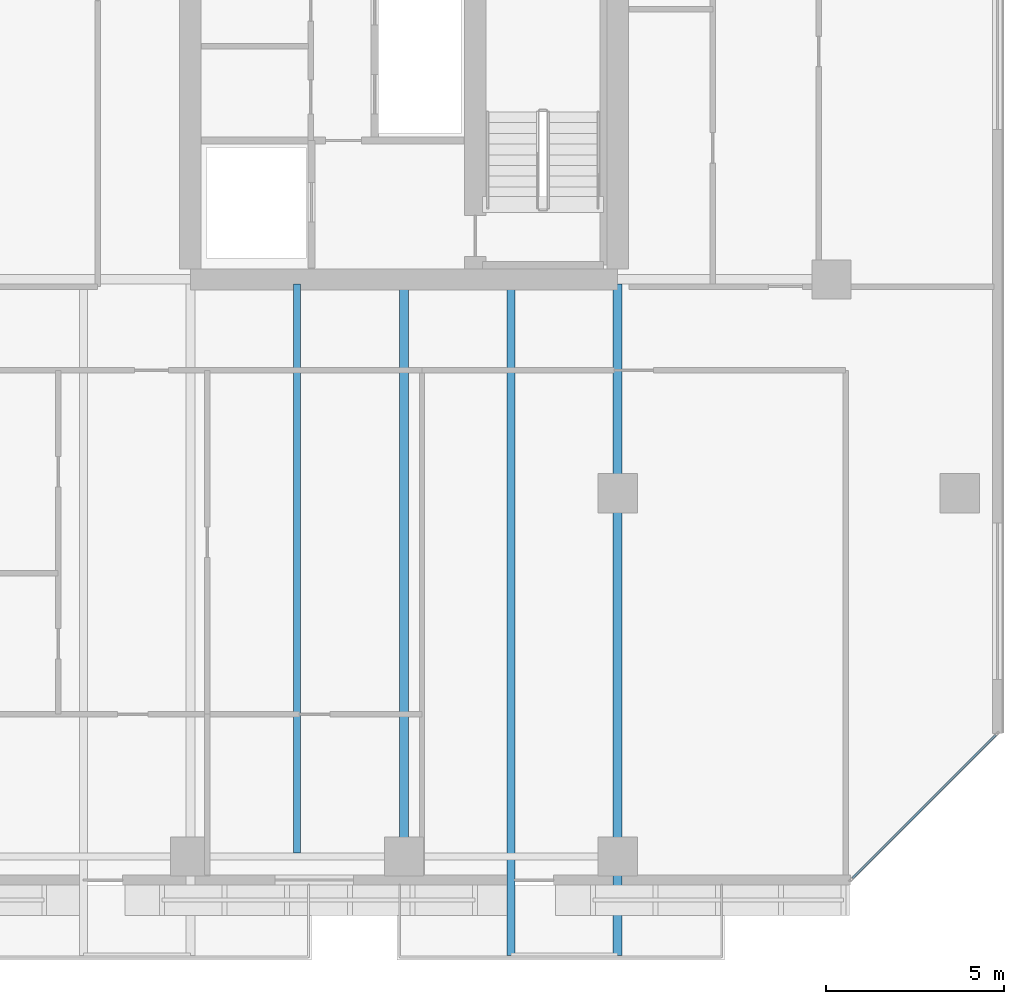
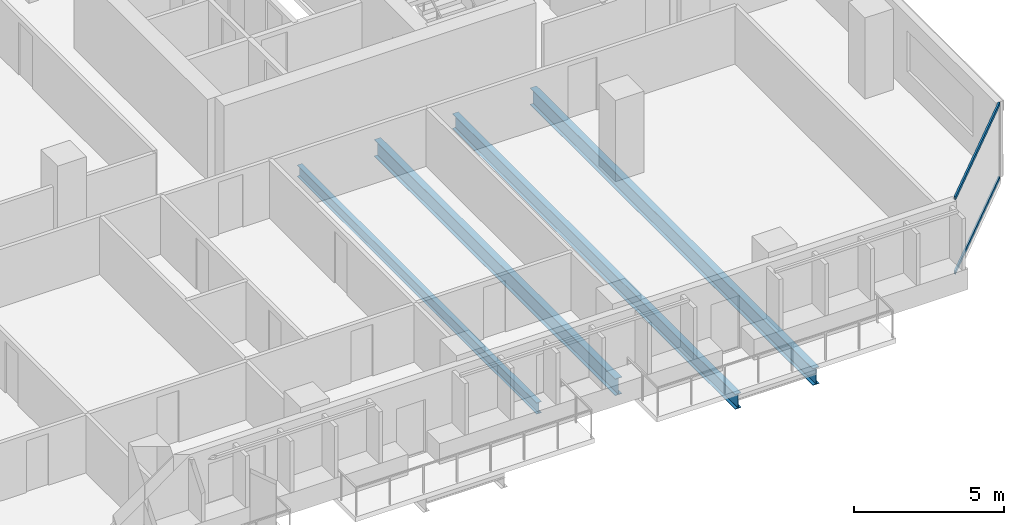
# One storey, part 14 of 34: 4 beams, 2 members, 1 element without a shape of its own.
"""IFC4 building model written with IfcOpenShell, lengths in metres."""

from ifc_helpers import new_model, si_unit, direction, frame, origin, origin_2d, place, context, subcontext, project, spatial, hollow_rectangle, i_section, extrude, material, layer, layer_set, material_profile, profile_set, type_object, element, aggregate, save


model = new_model("IFC4")

# Units and contexts
model_context = context("Model", 3, precision=1e-05, world=origin(), true_north=direction((0.0, 1.0)))
body_context = subcontext(model_context, "Body", "Model", "MODEL_VIEW")
ifc_project = project(units=[si_unit("LENGTHUNIT", "METRE"), si_unit("AREAUNIT", "SQUARE_METRE"), si_unit("VOLUMEUNIT", "CUBIC_METRE"), si_unit("PLANEANGLEUNIT", "RADIAN"), si_unit("MASSUNIT", "GRAM", prefix="KILO")], contexts=[model_context])

# Site, building, storey
site_placement = place(None, origin())
site = spatial("IfcSite", under=ifc_project, at=site_placement, CompositionType="ELEMENT")
building_placement = place(site_placement, origin())
building = spatial("IfcBuilding", under=site, at=building_placement, Name="Tanjung Sevakor Pilgrim Tower", CompositionType="ELEMENT")
storey_placement = place(building_placement, frame((0.0, 0.0, 55.43994140625)))
storey = spatial("IfcBuildingStorey", under=building, at=storey_placement, Name="L15", CompositionType="ELEMENT", Elevation=55.43994140625)

# Beams
ifc_material_1 = material(Name="Steel S355J2", Category="steel")
ifc_material_profile_1 = material_profile(ifc_material_1, i_section(OverallWidth=0.25439453125, OverallDepth=0.6875, WebThickness=0.01318359375, FlangeThickness=0.02099609375, FilletRadius=0.01513671875, at=origin_2d()))
ifc_profile_set_1 = profile_set([ifc_material_profile_1], Name="Steel S355J2")
beam_type_1 = type_object("IfcBeamType", Name="BM-B-G2-UB_686x254x152", PredefinedType="BEAM", material=ifc_profile_set_1)
beam_1_placement = place(storey_placement, frame((84.0, 8.39990234375, -0.563720703125), z_axis=(0.0, 1.0, 0.0), x_axis=(-1.0, 0.0, 0.0)))
element("IfcBeam", 1, at=beam_1_placement, inside=storey, type_object=beam_type_1, Name="L15 MAIN Girder 025", PredefinedType="BEAM", context=body_context, shape_type="SweptSolid", body=[
    extrude(i_section(OverallWidth=0.25439453125, OverallDepth=0.6875, WebThickness=0.01318359375, FlangeThickness=0.02099609375, FilletRadius=0.01513671875, at=origin_2d()), origin(), (0.0, 0.0, 1.0), 16.066162109375),
])
beam_2_placement = place(storey_placement, frame((90.0, 24.466064453125, -0.563720703125), z_axis=(0.0, -1.0, 0.0), x_axis=(1.0, 0.0, 0.0)))
element("IfcBeam", 2, at=beam_2_placement, inside=storey, type_object=beam_type_1, Name="L15 Balcony Cantilever Beam MAIN-S4-2", PredefinedType="BEAM", context=body_context, shape_type="SweptSolid", body=[
    extrude(i_section(OverallWidth=0.25439453125, OverallDepth=0.6875, WebThickness=0.01318359375, FlangeThickness=0.02099609375, FilletRadius=0.01513671875, at=origin_2d()), origin(), (0.0, 0.0, 1.0), 18.845947265625),
])
ifc_material_2 = material(Name="Steel S355J2", Category="steel")
ifc_material_profile_2 = material_profile(ifc_material_2, i_section(OverallWidth=0.22900390625, OverallDepth=0.6123046875, WebThickness=0.011962890625, FlangeThickness=0.01953125, FilletRadius=0.0126953125, at=origin_2d()))
ifc_profile_set_2 = profile_set([ifc_material_profile_2], Name="Steel S355J2")
beam_type_2 = type_object("IfcBeamType", Name="BM-B-G4-UB_610x229x125", PredefinedType="BEAM", material=ifc_profile_set_2)
beam_3_placement = place(storey_placement, frame((87.0, 24.466064453125, -0.526123046875), z_axis=(0.0, -1.0, 0.0), x_axis=(1.0, 0.0, 0.0)))
element("IfcBeam", 3, at=beam_3_placement, inside=storey, type_object=beam_type_2, Name="L15 Balcony Cantilever Beam MAIN-S4-1", PredefinedType="BEAM", context=body_context, shape_type="SweptSolid", body=[
    extrude(i_section(OverallWidth=0.22900390625, OverallDepth=0.6123046875, WebThickness=0.011962890625, FlangeThickness=0.01953125, FilletRadius=0.0126953125, at=origin_2d()), origin(), (0.0, 0.0, 1.0), 18.845947265625),
])
ifc_material_3 = material(Name="Steel S355J2", Category="steel")
ifc_material_profile_3 = material_profile(ifc_material_3, i_section(OverallWidth=0.19140625, OverallDepth=0.4599609375, WebThickness=0.010009765625, FlangeThickness=0.01611328125, FilletRadius=0.01025390625, at=origin_2d()))
ifc_profile_set_3 = profile_set([ifc_material_profile_3], Name="Steel S355J2")
beam_type_3 = type_object("IfcBeamType", Name="BM-B-J2-UB_457x191x82", PredefinedType="JOIST", material=ifc_profile_set_3)
beam_4_placement = place(storey_placement, frame((81.0, 8.5, -0.449951171875), z_axis=(0.0, 1.0, 0.0), x_axis=(-1.0, 0.0, 0.0)))
element("IfcBeam", 4, at=beam_4_placement, inside=storey, type_object=beam_type_3, Name="L15 MAIN Joist 023", PredefinedType="JOIST", context=body_context, shape_type="SweptSolid", body=[
    extrude(i_section(OverallWidth=0.19140625, OverallDepth=0.4599609375, WebThickness=0.010009765625, FlangeThickness=0.01611328125, FilletRadius=0.01025390625, at=origin_2d()), origin(), (0.0, 0.0, 1.0), 15.966064453125),
])

# Curtain wall, members
ifc_material_4 = material(Name="Aluminium 6063-T6 and Low-E Glass", Category="aluminium")
ifc_layer = layer(ifc_material_4, 0.179931640625)
ifc_layer_set = layer_set([ifc_layer], Name="CW-SYS-CHAM")
curtain_wall_type = type_object("IfcCurtainWallType", Name="CW-SYS-CHAM", PredefinedType="NOTDEFINED", material=ifc_layer_set)
curtain_wall_placement = place(storey_placement, origin())
curtain_wall = element("IfcCurtainWall", 5, at=curtain_wall_placement, inside=storey, type_object=curtain_wall_type, Name="L15 Curtain Wall CW-CHM-L15-MAIN-5", PredefinedType="NOTDEFINED")
ifc_material_5 = material(Name="Aluminium 6063-T6", Category="aluminium")
ifc_material_profile_4 = material_profile(ifc_material_5, hollow_rectangle(XDim=0.06494140625, YDim=0.139892578125, WallThickness=0.00390625, at=origin_2d()))
ifc_profile_set_4 = profile_set([ifc_material_profile_4], Name="Aluminium 6063-T6")
member_type = type_object("IfcMemberType", Name="TYPE-CWT-1", PredefinedType="USERDEFINED", material=ifc_profile_set_4)
member_1_placement = place(storey_placement, frame((96.587890625, 7.785888671875, 0.032470703125), z_axis=(0.707106781187, 0.707106781187, 0.0), x_axis=(-0.707106781187, 0.707106781187, 0.0)))
member_1 = element("IfcMember", 6, at=member_1_placement, type_object=member_type, Name="CW-CHM transom 1.1", ObjectType="TRANSOM", PredefinedType="USERDEFINED", context=body_context, shape_type="SweptSolid", body=[
    extrude(hollow_rectangle(XDim=0.06494140625, YDim=0.139892578125, WallThickness=0.00390625, at=origin_2d()), origin(), (0.0, 0.0, 1.0), 5.69384765625),
])
member_2_placement = place(storey_placement, frame((96.587890625, 7.785888671875, 3.047607421875), z_axis=(0.707106781187, 0.707106781187, 0.0), x_axis=(-0.707106781187, 0.707106781187, 0.0)))
member_2 = element("IfcMember", 7, at=member_2_placement, type_object=member_type, Name="CW-CHM transom 1.2", ObjectType="TRANSOM", PredefinedType="USERDEFINED", context=body_context, shape_type="SweptSolid", body=[
    extrude(hollow_rectangle(XDim=0.06494140625, YDim=0.139892578125, WallThickness=0.00390625, at=origin_2d()), origin(), (0.0, 0.0, 1.0), 5.69384765625),
])
aggregate(curtain_wall, [member_1, member_2])

save(model, "model.ifc")
